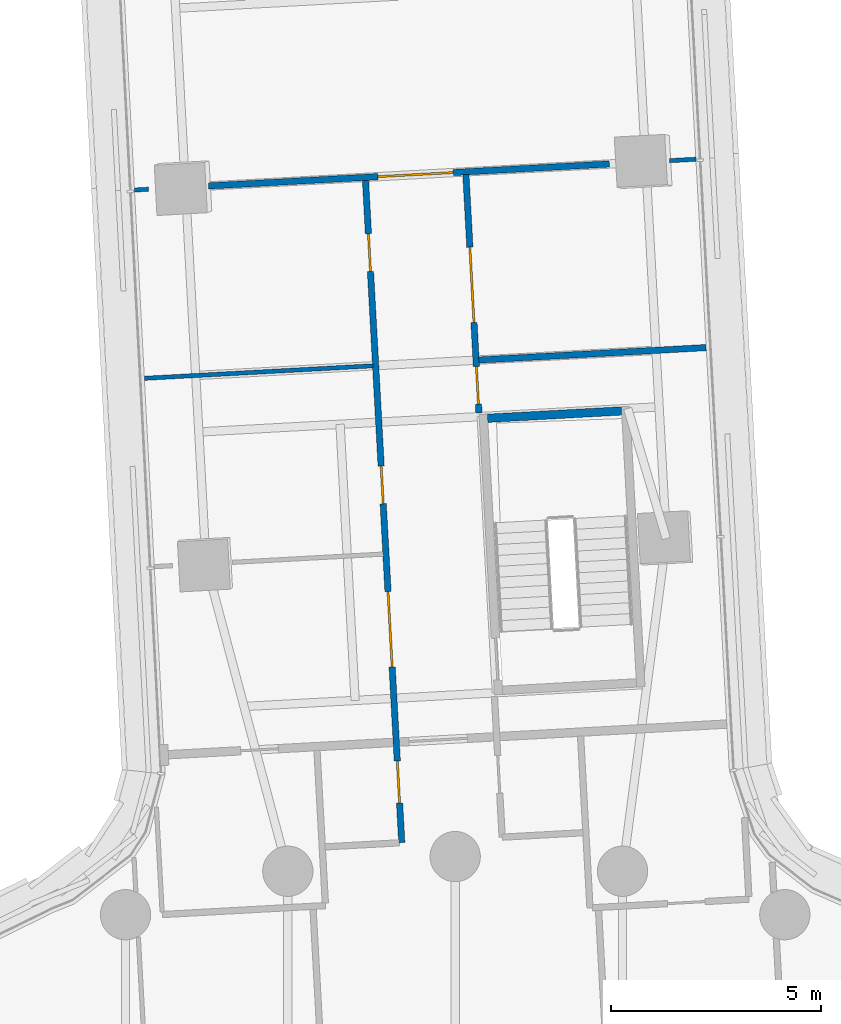
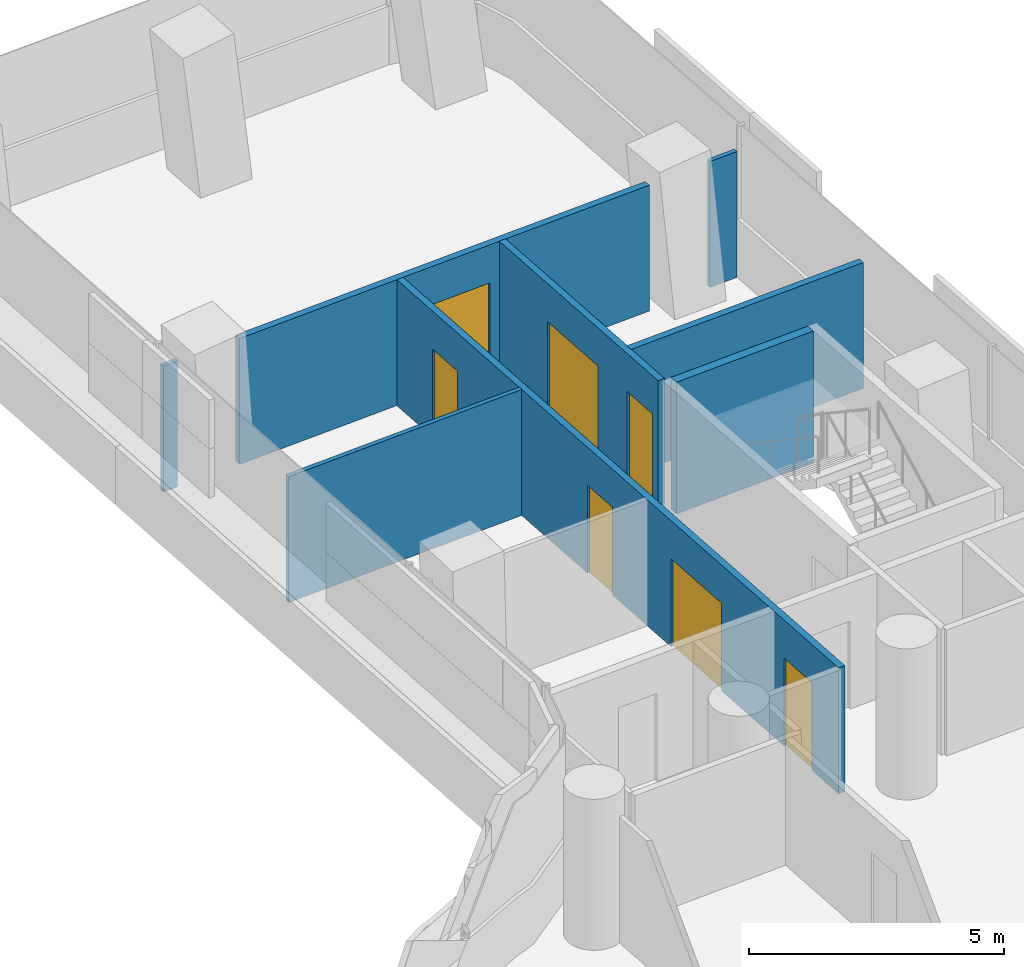
# One storey, part 23 of 31: 8 walls, 7 doors, 7 openings.
"""IFC4 building model written with IfcOpenShell, lengths in metres."""

from ifc_helpers import new_model, si_unit, direction, frame, frame_2d, origin, place, context, subcontext, project, spatial, polyline, rectangle, outline, extrude, material, layer, layer_set, type_object, element, fill, save


model = new_model("IFC4")

# Units and contexts
model_context = context("Model", 3, precision=1e-05, world=origin(), true_north=direction((0.0, 1.0)))
body_context = subcontext(model_context, "Body", "Model", "MODEL_VIEW")
ifc_project = project(units=[si_unit("LENGTHUNIT", "METRE"), si_unit("AREAUNIT", "SQUARE_METRE"), si_unit("VOLUMEUNIT", "CUBIC_METRE"), si_unit("PLANEANGLEUNIT", "RADIAN"), si_unit("MASSUNIT", "GRAM", prefix="KILO")], contexts=[model_context])

# Site, building, storey
site_placement = place(None, origin())
site = spatial("IfcSite", under=ifc_project, at=site_placement, CompositionType="ELEMENT")
building_placement = place(site_placement, origin())
building = spatial("IfcBuilding", under=site, at=building_placement, Name="Tamarind Cross Interchange Tower", CompositionType="ELEMENT")
storey_placement = place(building_placement, frame((0.0, 0.0, 45.25)))
storey = spatial("IfcBuildingStorey", under=building, at=storey_placement, Name="L09", CompositionType="ELEMENT", Elevation=45.25)

# Walls
ifc_material_1 = material(Name="Gypsum board partition on steel studs", Category="steel")
ifc_layer_1 = layer(ifc_material_1, 0.10009765625)
ifc_layer_set_1 = layer_set([ifc_layer_1], Name="Gypsum board partition on steel studs")
wall_type_1 = type_object("IfcWallType", Name="Partition 100 mm EI 90", PredefinedType="PARTITIONING", material=ifc_layer_set_1)
wall_1_placement = place(storey_placement, frame((-7.652587890625, 38.906982421875, 0.0), z_axis=(0.0, 0.0, 1.0), x_axis=(0.99850051318, 0.054742352696, 0.0)))
element("IfcWall", 1, at=wall_1_placement, inside=storey, type_object=wall_type_1, Name="Partition L09-046", PredefinedType="PARTITIONING", context=body_context, shape_type="SweptSolid", body=[
    extrude(rectangle(XDim=0.33447265625, YDim=0.10009765625, at=frame_2d((0.167236328125, 0.0))), origin(), (0.0, 0.0, 1.0), 3.010009765625),
])
wall_2_placement = place(storey_placement, frame((5.113037109375, 39.606689453125, 0.0), z_axis=(0.0, 0.0, 1.0), x_axis=(0.99848879997, 0.054955585115, 0.0)))
element("IfcWall", 2, at=wall_2_placement, inside=storey, type_object=wall_type_1, Name="Partition L09-048", PredefinedType="PARTITIONING", context=body_context, shape_type="SweptSolid", body=[
    extrude(rectangle(XDim=0.630859375, YDim=0.10009765625, at=frame_2d((0.3154296875, 0.0))), origin(), (0.0, 0.0, 1.0), 3.010009765625),
])
wall_3_placement = place(storey_placement, frame((-7.41650390625, 34.4130859375, 0.0), z_axis=(0.0, 0.0, 1.0), x_axis=(0.998507032295, 0.054623314239, 0.0)))
element("IfcWall", 3, at=wall_3_placement, inside=storey, type_object=wall_type_1, Name="Partition L09-049", PredefinedType="PARTITIONING", context=body_context, shape_type="SweptSolid", body=[
    extrude(rectangle(XDim=5.461669921875, YDim=0.10009765625, at=frame_2d((2.73095703125, 0.0))), origin(), (0.0, 0.0, 1.0), 3.010009765625),
])

# Wall, openings, doors
ifc_layer_2 = layer(ifc_material_1, 0.14990234375)
ifc_layer_set_2 = layer_set([ifc_layer_2], Name="Gypsum board partition on steel studs")
wall_type_2 = type_object("IfcWallType", Name="Partition 150 mm EI 120", PredefinedType="PARTITIONING", material=ifc_layer_set_2)
wall_4_placement = place(storey_placement, frame((-2.140380859375, 39.14404296875, 0.0), z_axis=(0.0, 0.0, 1.0), x_axis=(0.054653700015, -0.998505369577, 0.0)))
wall_4 = element("IfcWall", 4, at=wall_4_placement, inside=storey, type_object=wall_type_2, Name="Partition L09-012", PredefinedType="PARTITIONING", context=body_context, shape_type="SweptSolid", body=[
    extrude(rectangle(XDim=15.835693359375, YDim=0.14990234375, at=frame_2d((7.91796875, 0.0))), origin(), (0.0, 0.0, 1.0), 3.010009765625),
])
opening_1_placement = place(wall_4_placement, frame((13.88525390625, 0.0, 0.0)))
opening_1 = element("IfcOpeningElement", 5, at=opening_1_placement, cuts=wall_4, Name="Opening D05", PredefinedType="OPENING", context=body_context, shape_type="SweptSolid", body=[
    extrude(rectangle(XDim=1.0, YDim=2.10009765625, at=frame_2d((0.5, 1.050048828125))), frame((0.0, 0.0849609375, 0.0), z_axis=(0.0, -1.0, 0.0), x_axis=(1.0, 0.0, 0.0)), (0.0, 0.0, 1.0), 0.169921875),
])
opening_2_placement = place(wall_4_placement, frame((6.835693359375, 0.0, 0.0)))
opening_2 = element("IfcOpeningElement", 6, at=opening_2_placement, cuts=wall_4, Name="Opening D06", PredefinedType="OPENING", context=body_context, shape_type="SweptSolid", body=[
    extrude(rectangle(XDim=0.89990234375, YDim=2.10009765625, at=frame_2d((0.449951171875, 1.050048828125))), frame((0.0, 0.0849609375, 0.0), z_axis=(0.0, -1.0, 0.0), x_axis=(1.0, 0.0, 0.0)), (0.0, 0.0, 1.0), 0.169921875),
])
opening_3_placement = place(wall_4_placement, frame((1.284912109375, 0.0, 0.0)))
opening_3 = element("IfcOpeningElement", 7, at=opening_3_placement, cuts=wall_4, Name="Opening D07", PredefinedType="OPENING", context=body_context, shape_type="SweptSolid", body=[
    extrude(rectangle(XDim=0.89990234375, YDim=2.10009765625, at=frame_2d((0.449951171875, 1.050048828125))), frame((0.0, 0.0849609375, 0.0), z_axis=(0.0, -1.0, 0.0), x_axis=(1.0, 0.0, 0.0)), (0.0, 0.0, 1.0), 0.169921875),
])
opening_4_placement = place(wall_4_placement, frame((9.83544921875, 0.0, 0.0)))
opening_4 = element("IfcOpeningElement", 8, at=opening_4_placement, cuts=wall_4, Name="Opening D08", PredefinedType="OPENING", context=body_context, shape_type="SweptSolid", body=[
    extrude(rectangle(XDim=1.800048828125, YDim=2.10009765625, at=frame_2d((0.89990234375, 1.050048828125))), frame((0.0, 0.0849609375, 0.0), z_axis=(0.0, -1.0, 0.0), x_axis=(1.0, 0.0, 0.0)), (0.0, 0.0, 1.0), 0.169921875),
])
ifc_material_2 = material(Name="Fire-resisting door set")
door_type_1 = type_object("IfcDoorType", Name="Interior door 1000 x 2100 FD60S", OperationType="SINGLE_SWING_LEFT", PredefinedType="DOOR", material=ifc_material_2)
door_1_placement = place(opening_1_placement, frame((1.0, 0.0, 0.0), z_axis=(0.0, 0.0, 1.0), x_axis=(-1.0, 0.0, 0.0)))
door_1 = element("IfcDoor", 9, at=door_1_placement, inside=storey, type_object=door_type_1, Name="Door D05", OperationType="SINGLE_SWING_RIGHT", OverallHeight=2.10009765625, OverallWidth=1.0, PredefinedType="DOOR", context=body_context, shape_type="SweptSolid", body=[
    extrude(rectangle(XDim=1.0, YDim=2.10009765625, at=frame_2d((0.5, 1.050048828125))), frame((0.0, 0.02490234375, 0.0), z_axis=(0.0, -1.0, 0.0), x_axis=(1.0, 0.0, 0.0)), (0.0, 0.0, 1.0), 0.050048828125),
])
fill(opening_1, door_1)
door_type_2 = type_object("IfcDoorType", Name="Interior door 1800 x 2100 FD60S", OperationType="DOUBLE_DOOR_SINGLE_SWING", PredefinedType="DOOR", material=ifc_material_2)
door_2_placement = place(opening_4_placement, frame((1.800048828125, 0.0, 0.0), z_axis=(0.0, 0.0, 1.0), x_axis=(-1.0, 0.0, 0.0)))
door_2 = element("IfcDoor", 10, at=door_2_placement, inside=storey, type_object=door_type_2, Name="Door D08", OperationType="DOUBLE_DOOR_SINGLE_SWING", OverallHeight=2.10009765625, OverallWidth=1.800048828125, PredefinedType="DOOR", context=body_context, shape_type="SweptSolid", body=[
    extrude(rectangle(XDim=1.800048828125, YDim=2.10009765625, at=frame_2d((0.89990234375, 1.050048828125))), frame((0.0, 0.02490234375, 0.0), z_axis=(0.0, -1.0, 0.0), x_axis=(1.0, 0.0, 0.0)), (0.0, 0.0, 1.0), 0.050048828125),
])
fill(opening_4, door_2)
door_type_3 = type_object("IfcDoorType", Name="Interior door 900 x 2100 FD60S", OperationType="SINGLE_SWING_LEFT", PredefinedType="DOOR", material=ifc_material_2)
door_3_placement = place(opening_2_placement, frame((0.89990234375, 0.0, 0.0), z_axis=(0.0, 0.0, 1.0), x_axis=(-1.0, 0.0, 0.0)))
door_3 = element("IfcDoor", 11, at=door_3_placement, inside=storey, type_object=door_type_3, Name="Door D06", OperationType="SINGLE_SWING_LEFT", OverallHeight=2.10009765625, OverallWidth=0.89990234375, PredefinedType="DOOR", context=body_context, shape_type="SweptSolid", body=[
    extrude(rectangle(XDim=0.89990234375, YDim=2.10009765625, at=frame_2d((0.449951171875, 1.050048828125))), frame((0.0, 0.02490234375, 0.0), z_axis=(0.0, -1.0, 0.0), x_axis=(1.0, 0.0, 0.0)), (0.0, 0.0, 1.0), 0.050048828125),
])
fill(opening_2, door_3)
door_4_placement = place(opening_3_placement, frame((0.89990234375, 0.0, 0.0), z_axis=(0.0, 0.0, 1.0), x_axis=(-1.0, 0.0, 0.0)))
door_4 = element("IfcDoor", 12, at=door_4_placement, inside=storey, type_object=door_type_3, Name="Door D07", OperationType="SINGLE_SWING_LEFT", OverallHeight=2.10009765625, OverallWidth=0.89990234375, PredefinedType="DOOR", context=body_context, shape_type="SweptSolid", body=[
    extrude(rectangle(XDim=0.89990234375, YDim=2.10009765625, at=frame_2d((0.449951171875, 1.050048828125))), frame((0.0, 0.02490234375, 0.0), z_axis=(0.0, -1.0, 0.0), x_axis=(1.0, 0.0, 0.0)), (0.0, 0.0, 1.0), 0.050048828125),
])
fill(opening_3, door_4)

wall_5_placement = place(storey_placement, frame((0.255615234375, 39.275146484375, 0.0), z_axis=(0.0, 0.0, 1.0), x_axis=(0.054655656621, -0.99850526248, 0.0)))
wall_5 = element("IfcWall", 13, at=wall_5_placement, inside=storey, type_object=wall_type_2, Name="Partition L09-016", PredefinedType="PARTITIONING", context=body_context, shape_type="SweptSolid", body=[
    extrude(rectangle(XDim=5.6953125, YDim=0.14990234375, at=frame_2d((2.84765625, 0.0))), origin(), (0.0, 0.0, 1.0), 3.010009765625),
])
opening_5_placement = place(wall_5_placement, frame((1.735107421875, 0.0, 0.0)))
opening_5 = element("IfcOpeningElement", 14, at=opening_5_placement, cuts=wall_5, Name="Opening D11", PredefinedType="OPENING", context=body_context, shape_type="SweptSolid", body=[
    extrude(rectangle(XDim=1.800048828125, YDim=2.10009765625, at=frame_2d((0.89990234375, 1.050048828125))), frame((0.0, 0.0849609375, 0.0), z_axis=(0.0, -1.0, 0.0), x_axis=(1.0, 0.0, 0.0)), (0.0, 0.0, 1.0), 0.169921875),
])
opening_6_placement = place(wall_5_placement, frame((4.585693359375, 0.0, 0.0)))
opening_6 = element("IfcOpeningElement", 15, at=opening_6_placement, cuts=wall_5, Name="Opening D12", PredefinedType="OPENING", context=body_context, shape_type="SweptSolid", body=[
    extrude(rectangle(XDim=0.89990234375, YDim=2.10009765625, at=frame_2d((0.449951171875, 1.050048828125))), frame((0.0, 0.0849609375, 0.0), z_axis=(0.0, -1.0, 0.0), x_axis=(1.0, 0.0, 0.0)), (0.0, 0.0, 1.0), 0.169921875),
])
door_5_placement = place(opening_5_placement, origin())
door_5 = element("IfcDoor", 16, at=door_5_placement, inside=storey, type_object=door_type_2, Name="Door D11", OperationType="DOUBLE_DOOR_SINGLE_SWING", OverallHeight=2.10009765625, OverallWidth=1.800048828125, PredefinedType="DOOR", context=body_context, shape_type="SweptSolid", body=[
    extrude(rectangle(XDim=1.800048828125, YDim=2.10009765625, at=frame_2d((0.89990234375, 1.050048828125))), frame((0.0, 0.02490234375, 0.0), z_axis=(0.0, -1.0, 0.0), x_axis=(1.0, 0.0, 0.0)), (0.0, 0.0, 1.0), 0.050048828125),
])
fill(opening_5, door_5)
door_6_placement = place(opening_6_placement, origin())
door_6 = element("IfcDoor", 17, at=door_6_placement, inside=storey, type_object=door_type_3, Name="Door D12", OperationType="SINGLE_SWING_LEFT", OverallHeight=2.10009765625, OverallWidth=0.89990234375, PredefinedType="DOOR", context=body_context, shape_type="SweptSolid", body=[
    extrude(rectangle(XDim=0.89990234375, YDim=2.10009765625, at=frame_2d((0.449951171875, 1.050048828125))), frame((0.0, 0.02490234375, 0.0), z_axis=(0.0, -1.0, 0.0), x_axis=(1.0, 0.0, 0.0)), (0.0, 0.0, 1.0), 0.050048828125),
])
fill(opening_6, door_6)

# Wall, opening, door
wall_6_placement = place(storey_placement, frame((-5.88623046875, 39.00390625, 0.0), z_axis=(0.0, 0.0, 1.0), x_axis=(0.998501713592, 0.054720452793, 0.0)))
wall_6 = element("IfcWall", 18, at=wall_6_placement, inside=storey, type_object=wall_type_2, Name="Partition L09-047", PredefinedType="PARTITIONING", context=body_context, shape_type="SweptSolid", body=[
    extrude(rectangle(XDim=9.5791015625, YDim=0.14990234375, at=frame_2d((4.78955078125, 0.0))), origin(), (0.0, 0.0, 1.0), 3.010009765625),
])
opening_7_placement = place(wall_6_placement, frame((4.0478515625, 0.0, 0.0)))
opening_7 = element("IfcOpeningElement", 19, at=opening_7_placement, cuts=wall_6, Name="Opening D29", PredefinedType="OPENING", context=body_context, shape_type="SweptSolid", body=[
    extrude(rectangle(XDim=1.800048828125, YDim=2.10009765625, at=frame_2d((0.89990234375, 1.050048828125))), frame((0.0, 0.0849609375, 0.0), z_axis=(0.0, -1.0, 0.0), x_axis=(1.0, 0.0, 0.0)), (0.0, 0.0, 1.0), 0.169921875),
])
door_7_placement = place(opening_7_placement, origin())
door_7 = element("IfcDoor", 20, at=door_7_placement, inside=storey, type_object=door_type_2, Name="Door D29", OperationType="DOUBLE_DOOR_SINGLE_SWING", OverallHeight=2.10009765625, OverallWidth=1.800048828125, PredefinedType="DOOR", context=body_context, shape_type="SweptSolid", body=[
    extrude(rectangle(XDim=1.800048828125, YDim=2.10009765625, at=frame_2d((0.89990234375, 1.050048828125))), frame((0.0, 0.02490234375, 0.0), z_axis=(0.0, -1.0, 0.0), x_axis=(1.0, 0.0, 0.0)), (0.0, 0.0, 1.0), 0.050048828125),
])
fill(opening_7, door_7)

# Walls
wall_7_placement = place(storey_placement, frame((0.56298828125, 34.849609375, 0.0), z_axis=(0.0, 0.0, 1.0), x_axis=(0.998506587112, 0.054631451515, 0.0)))
element("IfcWall", 21, at=wall_7_placement, inside=storey, type_object=wall_type_2, Name="Partition L09-050", PredefinedType="PARTITIONING", context=body_context, shape_type="SweptSolid", body=[
    extrude(rectangle(XDim=5.43408203125, YDim=0.14990234375, at=frame_2d((2.717041015625, 0.0))), origin(), (0.0, 0.0, 1.0), 3.010009765625),
])
ifc_material_3 = material(Name="Concrete C40", Category="concrete")
ifc_layer_3 = layer(ifc_material_3, 0.199951171875)
ifc_layer_set_3 = layer_set([ifc_layer_3], Name="Concrete C40")
wall_type_3 = type_object("IfcWallType", Name="Stair shaft wall 200 mm Concrete C40", PredefinedType="SHEAR", material=ifc_layer_set_3)
wall_8_placement = place(storey_placement, frame((0.0, 0.0, -0.139892578125)))
element("IfcWall", 22, at=wall_8_placement, inside=storey, type_object=wall_type_3, Name="Core wall CWL-L09-ST4-CF", PredefinedType="SHEAR", context=body_context, shape_type="SweptSolid", body=[
    extrude(outline(polyline([(3.975341796875, 33.53466796875), (3.96435546875, 33.734375), (0.76904296875, 33.559326171875), (0.780029296875, 33.359619140625), (3.975341796875, 33.53466796875)])), origin(), (0.0, 0.0, 1.0), 3.14990234375),
])

save(model, "model.ifc")
